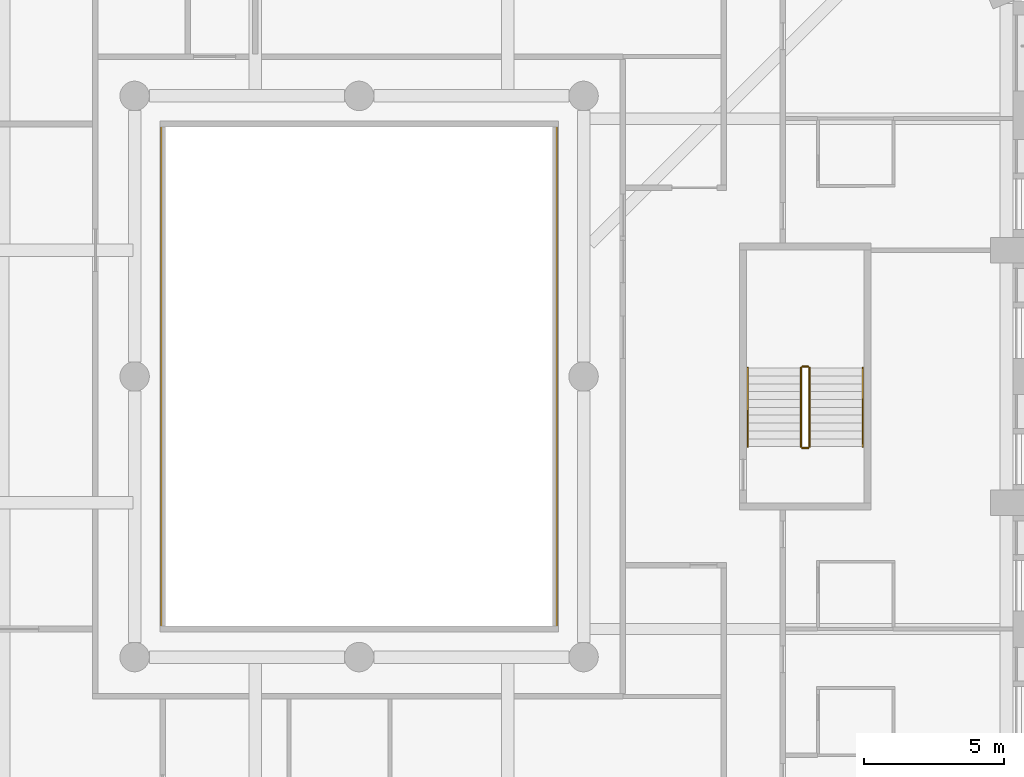
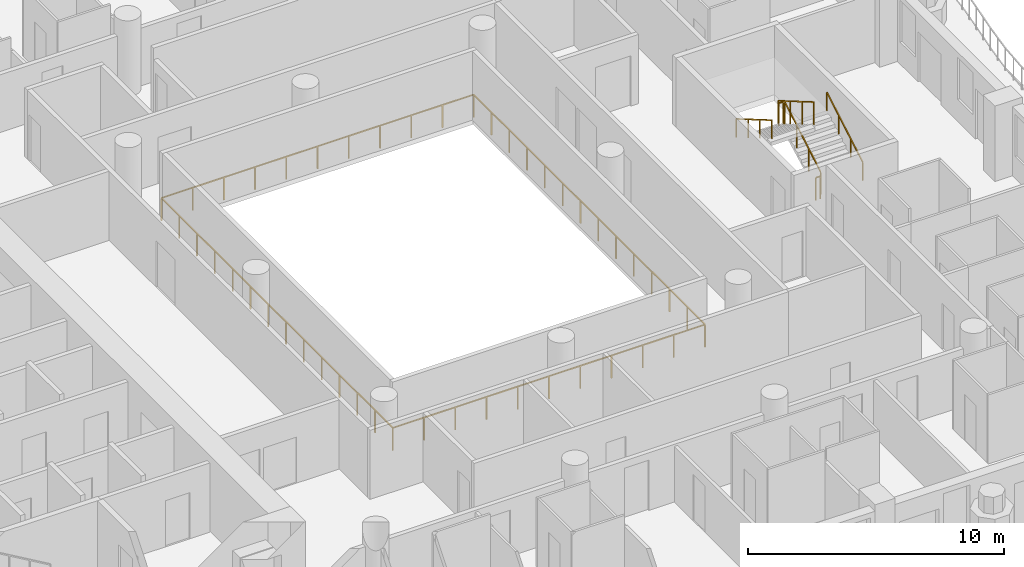
# One storey, part 15 of 20: 7 railings.
"""IFC4 building model written with IfcOpenShell, lengths in metres."""

from ifc_helpers import new_model, si_unit, direction, frame, origin, origin_2d, place, context, subcontext, project, spatial, rectangle, extrude, material, type_object, element, save


model = new_model("IFC4")

# Units and contexts
model_context = context("Model", 3, precision=1e-05, world=origin(), true_north=direction((0.0, 1.0)))
body_context = subcontext(model_context, "Body", "Model", "MODEL_VIEW")
ifc_project = project(units=[si_unit("LENGTHUNIT", "METRE"), si_unit("AREAUNIT", "SQUARE_METRE"), si_unit("VOLUMEUNIT", "CUBIC_METRE"), si_unit("PLANEANGLEUNIT", "RADIAN"), si_unit("MASSUNIT", "GRAM", prefix="KILO")], contexts=[model_context])

# Site, building, storey
site_placement = place(None, origin())
site = spatial("IfcSite", under=ifc_project, at=site_placement, CompositionType="ELEMENT")
building_placement = place(site_placement, origin())
building = spatial("IfcBuilding", under=site, at=building_placement, Name="Cypress Arch Tower", CompositionType="ELEMENT")
storey_placement = place(building_placement, frame((0.0, 0.0, 109.5)))
storey = spatial("IfcBuildingStorey", under=building, at=storey_placement, Name="L22", CompositionType="ELEMENT", Elevation=109.5)

# Railings
ifc_material_1 = material(Name="Stainless steel posts and handrail, laminated glass infill", Category="steel")
railing_type_1 = type_object("IfcRailingType", Name="Atrium guard GR1100A", PredefinedType="GUARDRAIL", material=ifc_material_1)
railing_1_placement = place(storey_placement, frame((8.050048828125, -9.050048828125, 0.0)))
element("IfcRailing", 1, at=railing_1_placement, inside=storey, type_object=railing_type_1, Name="Atrium guard L22", PredefinedType="GUARDRAIL", context=body_context, shape_type="SweptSolid", body=[
    extrude(rectangle(XDim=0.050048828125, YDim=0.050048828125, at=origin_2d()), frame((0.0, 0.0, 1.0751953125), z_axis=(-1.0, 0.0, 0.0), x_axis=(0.0, -1.0, 0.0)), (0.0, 0.0, 1.0), 14.10009765625),
    extrude(rectangle(XDim=0.050048828125, YDim=0.050048828125, at=origin_2d()), frame((-14.10009765625, 0.0, 1.0751953125), z_axis=(0.0, 1.0, 0.0), x_axis=(-1.0, 0.0, 0.0)), (0.0, 0.0, 1.0), 18.10009765625),
    extrude(rectangle(XDim=0.050048828125, YDim=0.050048828125, at=origin_2d()), frame((-14.10009765625, 18.10009765625, 1.0751953125), z_axis=(1.0, 0.0, 0.0), x_axis=(0.0, 1.0, 0.0)), (0.0, 0.0, 1.0), 14.10009765625),
    extrude(rectangle(XDim=0.050048828125, YDim=0.050048828125, at=origin_2d()), frame((0.0, 18.10009765625, 1.0751953125), z_axis=(0.0, -1.0, 0.0), x_axis=(1.0, 0.0, 0.0)), (0.0, 0.0, 1.0), 18.10009765625),
    extrude(rectangle(XDim=0.050048828125, YDim=0.050048828125, at=origin_2d()), origin(), (0.0, 0.0, 1.0), 1.050048828125),
    extrude(rectangle(XDim=0.050048828125, YDim=0.050048828125, at=origin_2d()), frame((-1.409912109375, 0.0, 0.0)), (0.0, 0.0, 1.0), 1.050048828125),
    extrude(rectangle(XDim=0.050048828125, YDim=0.050048828125, at=origin_2d()), frame((-2.820068359375, 0.0, 0.0)), (0.0, 0.0, 1.0), 1.050048828125),
    extrude(rectangle(XDim=0.050048828125, YDim=0.050048828125, at=origin_2d()), frame((-4.22998046875, 0.0, 0.0)), (0.0, 0.0, 1.0), 1.050048828125),
    extrude(rectangle(XDim=0.050048828125, YDim=0.050048828125, at=origin_2d()), frame((-5.64013671875, 0.0, 0.0)), (0.0, 0.0, 1.0), 1.050048828125),
    extrude(rectangle(XDim=0.050048828125, YDim=0.050048828125, at=origin_2d()), frame((-7.050048828125, 0.0, 0.0)), (0.0, 0.0, 1.0), 1.050048828125),
    extrude(rectangle(XDim=0.050048828125, YDim=0.050048828125, at=origin_2d()), frame((-8.4599609375, 0.0, 0.0)), (0.0, 0.0, 1.0), 1.050048828125),
    extrude(rectangle(XDim=0.050048828125, YDim=0.050048828125, at=origin_2d()), frame((-9.8701171875, 0.0, 0.0)), (0.0, 0.0, 1.0), 1.050048828125),
    extrude(rectangle(XDim=0.050048828125, YDim=0.050048828125, at=origin_2d()), frame((-11.280029296875, 0.0, 0.0)), (0.0, 0.0, 1.0), 1.050048828125),
    extrude(rectangle(XDim=0.050048828125, YDim=0.050048828125, at=origin_2d()), frame((-12.690185546875, 0.0, 0.0)), (0.0, 0.0, 1.0), 1.050048828125),
    extrude(rectangle(XDim=0.050048828125, YDim=0.050048828125, at=origin_2d()), frame((-14.10009765625, 0.0, 0.0)), (0.0, 0.0, 1.0), 1.050048828125),
    extrude(rectangle(XDim=0.050048828125, YDim=0.050048828125, at=origin_2d()), frame((-14.10009765625, 1.392333984375, 0.0)), (0.0, 0.0, 1.0), 1.050048828125),
    extrude(rectangle(XDim=0.050048828125, YDim=0.050048828125, at=origin_2d()), frame((-14.10009765625, 2.78466796875, 0.0)), (0.0, 0.0, 1.0), 1.050048828125),
    extrude(rectangle(XDim=0.050048828125, YDim=0.050048828125, at=origin_2d()), frame((-14.10009765625, 4.177001953125, 0.0)), (0.0, 0.0, 1.0), 1.050048828125),
    extrude(rectangle(XDim=0.050048828125, YDim=0.050048828125, at=origin_2d()), frame((-14.10009765625, 5.5693359375, 0.0)), (0.0, 0.0, 1.0), 1.050048828125),
    extrude(rectangle(XDim=0.050048828125, YDim=0.050048828125, at=origin_2d()), frame((-14.10009765625, 6.961669921875, 0.0)), (0.0, 0.0, 1.0), 1.050048828125),
    extrude(rectangle(XDim=0.050048828125, YDim=0.050048828125, at=origin_2d()), frame((-14.10009765625, 8.35400390625, 0.0)), (0.0, 0.0, 1.0), 1.050048828125),
    extrude(rectangle(XDim=0.050048828125, YDim=0.050048828125, at=origin_2d()), frame((-14.10009765625, 9.74609375, 0.0)), (0.0, 0.0, 1.0), 1.050048828125),
    extrude(rectangle(XDim=0.050048828125, YDim=0.050048828125, at=origin_2d()), frame((-14.10009765625, 11.138427734375, 0.0)), (0.0, 0.0, 1.0), 1.050048828125),
    extrude(rectangle(XDim=0.050048828125, YDim=0.050048828125, at=origin_2d()), frame((-14.10009765625, 12.53076171875, 0.0)), (0.0, 0.0, 1.0), 1.050048828125),
    extrude(rectangle(XDim=0.050048828125, YDim=0.050048828125, at=origin_2d()), frame((-14.10009765625, 13.923095703125, 0.0)), (0.0, 0.0, 1.0), 1.050048828125),
    extrude(rectangle(XDim=0.050048828125, YDim=0.050048828125, at=origin_2d()), frame((-14.10009765625, 15.3154296875, 0.0)), (0.0, 0.0, 1.0), 1.050048828125),
    extrude(rectangle(XDim=0.050048828125, YDim=0.050048828125, at=origin_2d()), frame((-14.10009765625, 16.707763671875, 0.0)), (0.0, 0.0, 1.0), 1.050048828125),
    extrude(rectangle(XDim=0.050048828125, YDim=0.050048828125, at=origin_2d()), frame((-14.10009765625, 18.10009765625, 0.0)), (0.0, 0.0, 1.0), 1.050048828125),
    extrude(rectangle(XDim=0.050048828125, YDim=0.050048828125, at=origin_2d()), frame((-12.690185546875, 18.10009765625, 0.0)), (0.0, 0.0, 1.0), 1.050048828125),
    extrude(rectangle(XDim=0.050048828125, YDim=0.050048828125, at=origin_2d()), frame((-11.280029296875, 18.10009765625, 0.0)), (0.0, 0.0, 1.0), 1.050048828125),
    extrude(rectangle(XDim=0.050048828125, YDim=0.050048828125, at=origin_2d()), frame((-9.8701171875, 18.10009765625, 0.0)), (0.0, 0.0, 1.0), 1.050048828125),
    extrude(rectangle(XDim=0.050048828125, YDim=0.050048828125, at=origin_2d()), frame((-8.4599609375, 18.10009765625, 0.0)), (0.0, 0.0, 1.0), 1.050048828125),
    extrude(rectangle(XDim=0.050048828125, YDim=0.050048828125, at=origin_2d()), frame((-7.050048828125, 18.10009765625, 0.0)), (0.0, 0.0, 1.0), 1.050048828125),
    extrude(rectangle(XDim=0.050048828125, YDim=0.050048828125, at=origin_2d()), frame((-5.64013671875, 18.10009765625, 0.0)), (0.0, 0.0, 1.0), 1.050048828125),
    extrude(rectangle(XDim=0.050048828125, YDim=0.050048828125, at=origin_2d()), frame((-4.22998046875, 18.10009765625, 0.0)), (0.0, 0.0, 1.0), 1.050048828125),
    extrude(rectangle(XDim=0.050048828125, YDim=0.050048828125, at=origin_2d()), frame((-2.820068359375, 18.10009765625, 0.0)), (0.0, 0.0, 1.0), 1.050048828125),
    extrude(rectangle(XDim=0.050048828125, YDim=0.050048828125, at=origin_2d()), frame((-1.409912109375, 18.10009765625, 0.0)), (0.0, 0.0, 1.0), 1.050048828125),
    extrude(rectangle(XDim=0.050048828125, YDim=0.050048828125, at=origin_2d()), frame((0.0, 18.10009765625, 0.0)), (0.0, 0.0, 1.0), 1.050048828125),
    extrude(rectangle(XDim=0.050048828125, YDim=0.050048828125, at=origin_2d()), frame((0.0, 16.707763671875, 0.0)), (0.0, 0.0, 1.0), 1.050048828125),
    extrude(rectangle(XDim=0.050048828125, YDim=0.050048828125, at=origin_2d()), frame((0.0, 15.3154296875, 0.0)), (0.0, 0.0, 1.0), 1.050048828125),
    extrude(rectangle(XDim=0.050048828125, YDim=0.050048828125, at=origin_2d()), frame((0.0, 13.923095703125, 0.0)), (0.0, 0.0, 1.0), 1.050048828125),
    extrude(rectangle(XDim=0.050048828125, YDim=0.050048828125, at=origin_2d()), frame((0.0, 12.53076171875, 0.0)), (0.0, 0.0, 1.0), 1.050048828125),
    extrude(rectangle(XDim=0.050048828125, YDim=0.050048828125, at=origin_2d()), frame((0.0, 11.138427734375, 0.0)), (0.0, 0.0, 1.0), 1.050048828125),
    extrude(rectangle(XDim=0.050048828125, YDim=0.050048828125, at=origin_2d()), frame((0.0, 9.74609375, 0.0)), (0.0, 0.0, 1.0), 1.050048828125),
    extrude(rectangle(XDim=0.050048828125, YDim=0.050048828125, at=origin_2d()), frame((0.0, 8.35400390625, 0.0)), (0.0, 0.0, 1.0), 1.050048828125),
    extrude(rectangle(XDim=0.050048828125, YDim=0.050048828125, at=origin_2d()), frame((0.0, 6.961669921875, 0.0)), (0.0, 0.0, 1.0), 1.050048828125),
    extrude(rectangle(XDim=0.050048828125, YDim=0.050048828125, at=origin_2d()), frame((0.0, 5.5693359375, 0.0)), (0.0, 0.0, 1.0), 1.050048828125),
    extrude(rectangle(XDim=0.050048828125, YDim=0.050048828125, at=origin_2d()), frame((0.0, 4.177001953125, 0.0)), (0.0, 0.0, 1.0), 1.050048828125),
    extrude(rectangle(XDim=0.050048828125, YDim=0.050048828125, at=origin_2d()), frame((0.0, 2.78466796875, 0.0)), (0.0, 0.0, 1.0), 1.050048828125),
    extrude(rectangle(XDim=0.050048828125, YDim=0.050048828125, at=origin_2d()), frame((0.0, 1.392333984375, 0.0)), (0.0, 0.0, 1.0), 1.050048828125),
])
ifc_material_2 = material(Name="Black powder-coated steel square bar 48 mm", Category="steel")
railing_type_2 = type_object("IfcRailingType", Name="Stair handrail HR1", PredefinedType="HANDRAIL", material=ifc_material_2)
railing_2_placement = place(storey_placement, frame((18.949951171875, -2.5, 0.16357421875)))
element("IfcRailing", 2, at=railing_2_placement, inside=storey, type_object=railing_type_2, Name="L22 C stair handrail 1", PredefinedType="HANDRAIL", context=body_context, shape_type="SweptSolid", body=[
    extrude(rectangle(XDim=0.048095703125, YDim=0.048095703125, at=origin_2d()), frame((0.0, 0.0, 0.8759765625), z_axis=(0.0, 0.863360870873, 0.504586966384), x_axis=(-1.0, 0.0, 0.0)), (0.0, 0.0, 1.0), 3.2431640625),
    extrude(rectangle(XDim=0.0419921875, YDim=0.0419921875, at=origin_2d()), origin(), (0.0, 0.0, 1.0), 0.851806640625),
    extrude(rectangle(XDim=0.0419921875, YDim=0.0419921875, at=origin_2d()), frame((0.0, 0.933349609375, 0.54541015625)), (0.0, 0.0, 1.0), 0.851806640625),
    extrude(rectangle(XDim=0.0419921875, YDim=0.0419921875, at=origin_2d()), frame((0.0, 1.86669921875, 1.091064453125)), (0.0, 0.0, 1.0), 0.851806640625),
    extrude(rectangle(XDim=0.0419921875, YDim=0.0419921875, at=origin_2d()), frame((0.0, 2.800048828125, 1.636474609375)), (0.0, 0.0, 1.0), 0.851806640625),
])
railing_3_placement = place(storey_placement, frame((14.85009765625, 0.300048828125, 1.963623046875)))
element("IfcRailing", 3, at=railing_3_placement, inside=storey, type_object=railing_type_2, Name="L22 C stair handrail 2", PredefinedType="HANDRAIL", context=body_context, shape_type="SweptSolid", body=[
    extrude(rectangle(XDim=0.048095703125, YDim=0.048095703125, at=origin_2d()), frame((0.0, 0.0, 0.8759765625), z_axis=(0.0, -0.863360870873, 0.504586966384), x_axis=(1.0, 0.0, 0.0)), (0.0, 0.0, 1.0), 3.2431640625),
    extrude(rectangle(XDim=0.0419921875, YDim=0.0419921875, at=origin_2d()), origin(), (0.0, 0.0, 1.0), 0.851806640625),
    extrude(rectangle(XDim=0.0419921875, YDim=0.0419921875, at=origin_2d()), frame((0.0, -0.933349609375, 0.54541015625)), (0.0, 0.0, 1.0), 0.851806640625),
    extrude(rectangle(XDim=0.0419921875, YDim=0.0419921875, at=origin_2d()), frame((0.0, -1.86669921875, 1.091064453125)), (0.0, 0.0, 1.0), 0.851806640625),
    extrude(rectangle(XDim=0.0419921875, YDim=0.0419921875, at=origin_2d()), frame((0.0, -2.800048828125, 1.636474609375)), (0.0, 0.0, 1.0), 0.851806640625),
])
ifc_material_3 = material(Name="Black powder-coated steel balusters", Category="steel")
railing_type_3 = type_object("IfcRailingType", Name="Stair well guard G1", PredefinedType="GUARDRAIL", material=ifc_material_3)
railing_4_placement = place(storey_placement, frame((17.050048828125, -2.5, 0.16357421875)))
element("IfcRailing", 4, at=railing_4_placement, inside=storey, type_object=railing_type_3, Name="L22 C stair guard 1", PredefinedType="GUARDRAIL", context=body_context, shape_type="SweptSolid", body=[
    extrude(rectangle(XDim=0.048095703125, YDim=0.048095703125, at=origin_2d()), frame((0.0, 0.0, 1.076171875), z_axis=(0.0, 0.863360870873, 0.504586966384), x_axis=(-1.0, 0.0, 0.0)), (0.0, 0.0, 1.0), 3.2431640625),
    extrude(rectangle(XDim=0.0419921875, YDim=0.0419921875, at=origin_2d()), origin(), (0.0, 0.0, 1.0), 1.052001953125),
    extrude(rectangle(XDim=0.0419921875, YDim=0.0419921875, at=origin_2d()), frame((0.0, 0.933349609375, 0.54541015625)), (0.0, 0.0, 1.0), 1.052001953125),
    extrude(rectangle(XDim=0.0419921875, YDim=0.0419921875, at=origin_2d()), frame((0.0, 1.86669921875, 1.091064453125)), (0.0, 0.0, 1.0), 1.052001953125),
    extrude(rectangle(XDim=0.0419921875, YDim=0.0419921875, at=origin_2d()), frame((0.0, 2.800048828125, 1.636474609375)), (0.0, 0.0, 1.0), 1.052001953125),
])
railing_5_placement = place(storey_placement, frame((17.0, 0.35009765625, 1.800048828125)))
element("IfcRailing", 5, at=railing_5_placement, inside=storey, type_object=railing_type_3, Name="L22 C stair guard 2", PredefinedType="GUARDRAIL", context=body_context, shape_type="SweptSolid", body=[
    extrude(rectangle(XDim=0.048095703125, YDim=0.048095703125, at=origin_2d()), frame((0.0, 0.0, 1.076171875), z_axis=(-1.0, 0.0, 0.0), x_axis=(0.0, -1.0, 0.0)), (0.0, 0.0, 1.0), 0.199951171875),
    extrude(rectangle(XDim=0.0419921875, YDim=0.0419921875, at=origin_2d()), origin(), (0.0, 0.0, 1.0), 1.052001953125),
    extrude(rectangle(XDim=0.0419921875, YDim=0.0419921875, at=origin_2d()), frame((-0.199951171875, 0.0, 0.0)), (0.0, 0.0, 1.0), 1.052001953125),
])
railing_6_placement = place(storey_placement, frame((16.75, 0.300048828125, 1.963623046875)))
element("IfcRailing", 6, at=railing_6_placement, inside=storey, type_object=railing_type_3, Name="L22 C stair guard 3", PredefinedType="GUARDRAIL", context=body_context, shape_type="SweptSolid", body=[
    extrude(rectangle(XDim=0.048095703125, YDim=0.048095703125, at=origin_2d()), frame((0.0, 0.0, 1.076171875), z_axis=(0.0, -0.863360870873, 0.504586966384), x_axis=(1.0, 0.0, 0.0)), (0.0, 0.0, 1.0), 3.2431640625),
    extrude(rectangle(XDim=0.0419921875, YDim=0.0419921875, at=origin_2d()), origin(), (0.0, 0.0, 1.0), 1.052001953125),
    extrude(rectangle(XDim=0.0419921875, YDim=0.0419921875, at=origin_2d()), frame((0.0, -0.933349609375, 0.54541015625)), (0.0, 0.0, 1.0), 1.052001953125),
    extrude(rectangle(XDim=0.0419921875, YDim=0.0419921875, at=origin_2d()), frame((0.0, -1.86669921875, 1.091064453125)), (0.0, 0.0, 1.0), 1.052001953125),
    extrude(rectangle(XDim=0.0419921875, YDim=0.0419921875, at=origin_2d()), frame((0.0, -2.800048828125, 1.636474609375)), (0.0, 0.0, 1.0), 1.052001953125),
])
railing_7_placement = place(storey_placement, frame((17.0, -2.550048828125, 0.0)))
element("IfcRailing", 7, at=railing_7_placement, inside=storey, type_object=railing_type_3, Name="L22 C stair guard 4", PredefinedType="GUARDRAIL", context=body_context, shape_type="SweptSolid", body=[
    extrude(rectangle(XDim=0.048095703125, YDim=0.048095703125, at=origin_2d()), frame((0.0, 0.0, 1.076171875), z_axis=(-1.0, 0.0, 0.0), x_axis=(0.0, -1.0, 0.0)), (0.0, 0.0, 1.0), 0.199951171875),
    extrude(rectangle(XDim=0.0419921875, YDim=0.0419921875, at=origin_2d()), origin(), (0.0, 0.0, 1.0), 1.052001953125),
    extrude(rectangle(XDim=0.0419921875, YDim=0.0419921875, at=origin_2d()), frame((-0.199951171875, 0.0, 0.0)), (0.0, 0.0, 1.0), 1.052001953125),
])

save(model, "model.ifc")
